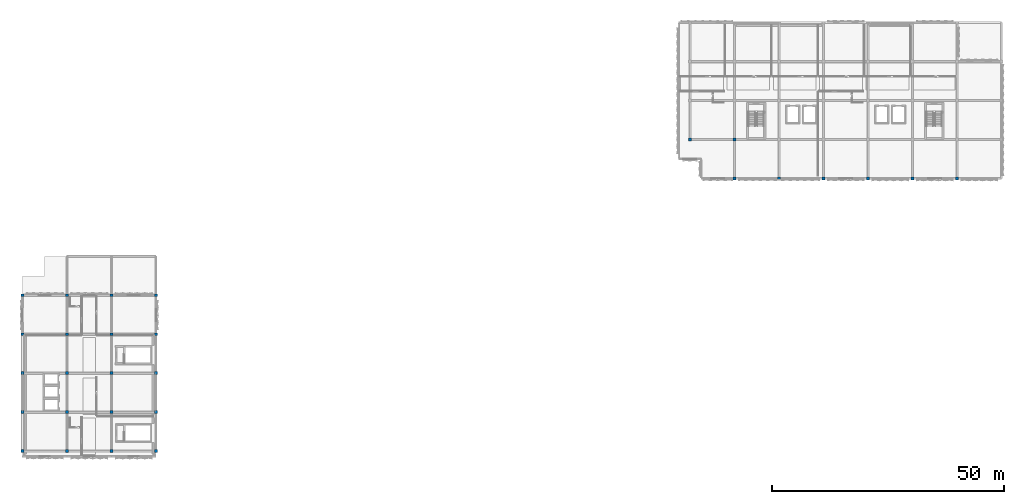
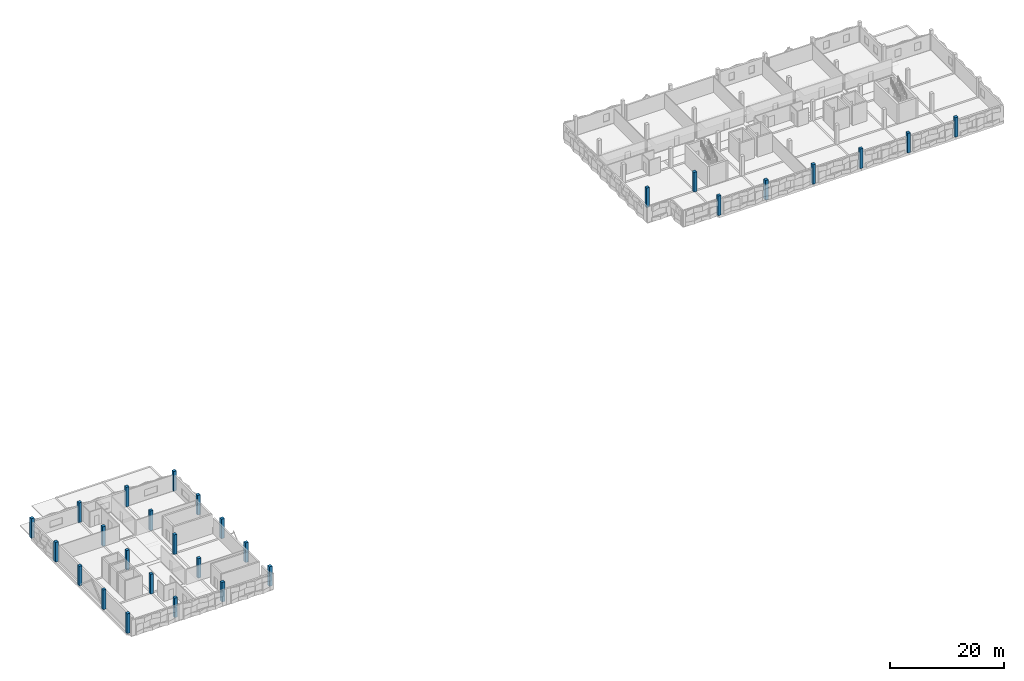
# One storey, part 1 of 18: 28 columns.
"""IFC4 building model written with IfcOpenShell, lengths in metres."""

from ifc_helpers import new_model, si_unit, direction, frame, origin, origin_2d, place, context, subcontext, project, spatial, rectangle, extrude, material, material_profile, profile_set, type_object, element, save


model = new_model("IFC4")

# Units and contexts
model_context = context("Model", 3, precision=1e-05, world=origin(), true_north=direction((0.0, 1.0)))
body_context = subcontext(model_context, "Body", "Model", "MODEL_VIEW")
ifc_project = project(units=[si_unit("LENGTHUNIT", "METRE"), si_unit("AREAUNIT", "SQUARE_METRE"), si_unit("VOLUMEUNIT", "CUBIC_METRE"), si_unit("PLANEANGLEUNIT", "RADIAN"), si_unit("MASSUNIT", "GRAM", prefix="KILO")], contexts=[model_context])

# Site, building, storey
site_placement = place(None, origin())
site = spatial("IfcSite", under=ifc_project, at=site_placement, CompositionType="ELEMENT")
building_placement = place(site_placement, origin())
building = spatial("IfcBuilding", under=site, at=building_placement, Name="Oolite Switchyard Hospital", CompositionType="ELEMENT")
storey_placement = place(building_placement, frame((0.0, 0.0, 26.199951171875)))
storey = spatial("IfcBuildingStorey", under=building, at=storey_placement, Name="L06", CompositionType="ELEMENT", Elevation=26.199951171875)

# Columns
ifc_material = material(Name="Concrete C50/60", Category="concrete")
ifc_material_profile = material_profile(ifc_material, rectangle(XDim=0.60009765625, YDim=0.60009765625, at=origin_2d()), Name="RC600X600")
ifc_profile_set = profile_set([ifc_material_profile], Name="Concrete C50/60")
column_type = type_object("IfcColumnType", Name="COL-RC600", PredefinedType="COLUMN", material=ifc_profile_set)
for number, where, z_axis, x_axis, name in (
    (1, (0.0, 42.0, 0.0), (0.0, 0.0, 1.0), (1.0, 0.0, 0.0), "L06 Column 1335"),
    (2, (0.0, 50.39990234375, 0.0), (0.0, 0.0, 1.0), (1.0, 0.0, 0.0), "L06 Column 1336"),
    (3, (0.0, 58.800048828125, 0.0), (0.0, 0.0, 1.0), (1.0, 0.0, 0.0), "L06 Column 1337"),
    (4, (0.0, 67.199951171875, 0.0), (0.0, 0.0, 1.0), (1.0, 0.0, 0.0), "L06 Column 1338"),
    (5, (0.0, 75.60009765625, 0.0), (0.0, 0.0, 1.0), (1.0, 0.0, 0.0), "L06 Column 1339"),
    (6, (9.60009765625, 42.0, 0.0), (0.0, 0.0, 1.0), (1.0, 0.0, 0.0), "L06 Column 1340"),
    (7, (9.60009765625, 50.39990234375, 0.0), (0.0, 0.0, 1.0), (1.0, 0.0, 0.0), "L06 Column 1341"),
    (8, (9.60009765625, 58.800048828125, 0.0), (0.0, 0.0, 1.0), (1.0, 0.0, 0.0), "L06 Column 1342"),
    (9, (9.60009765625, 67.199951171875, 0.0), (0.0, 0.0, 1.0), (1.0, 0.0, 0.0), "L06 Column 1343"),
    (10, (9.60009765625, 75.60009765625, 0.0), (0.0, 0.0, 1.0), (1.0, 0.0, 0.0), "L06 Column 1344"),
    (11, (19.199951171875, 42.0, 0.0), (0.0, 0.0, 1.0), (1.0, 0.0, 0.0), "L06 Column 1345"),
    (12, (19.199951171875, 50.39990234375, 0.0), (0.0, 0.0, 1.0), (1.0, 0.0, 0.0), "L06 Column 1346"),
    (13, (19.199951171875, 58.800048828125, 0.0), (0.0, 0.0, 1.0), (1.0, 0.0, 0.0), "L06 Column 1347"),
    (14, (19.199951171875, 67.199951171875, 0.0), (0.0, 0.0, 1.0), (1.0, 0.0, 0.0), "L06 Column 1348"),
    (15, (19.199951171875, 75.60009765625, 0.0), (0.0, 0.0, 1.0), (1.0, 0.0, 0.0), "L06 Column 1349"),
    (16, (28.800048828125, 42.0, 0.0), (0.0, 0.0, 1.0), (1.0, 0.0, 0.0), "L06 Column 1350"),
    (17, (28.800048828125, 50.39990234375, 0.0), (0.0, 0.0, 1.0), (1.0, 0.0, 0.0), "L06 Column 1351"),
    (18, (28.800048828125, 58.800048828125, 0.0), (0.0, 0.0, 1.0), (1.0, 0.0, 0.0), "L06 Column 1352"),
    (19, (28.800048828125, 67.199951171875, 0.0), (0.0, 0.0, 1.0), (1.0, 0.0, 0.0), "L06 Column 1353"),
    (20, (28.800048828125, 75.60009765625, 0.0), (0.0, 0.0, 1.0), (1.0, 0.0, 0.0), "L06 Column 1354"),
    (21, (144.0, 109.199951171875, 0.0), (0.0, 0.0, 1.0), (1.0, 0.0, 0.0), "L06 Column 1355"),
    (22, (153.60009765625, 100.800048828125, 0.0), (0.0, 0.0, 1.0), (1.0, 0.0, 0.0), "L06 Column 1359"),
    (23, (153.60009765625, 109.199951171875, 0.0), (0.0, 0.0, 1.0), (1.0, 0.0, 0.0), "L06 Column 1360"),
    (24, (163.199951171875, 100.800048828125, 0.0), (0.0, 0.0, 1.0), (1.0, 0.0, 0.0), "L06 Column 1364"),
    (25, (172.800048828125, 100.800048828125, 0.0), (0.0, 0.0, 1.0), (1.0, 0.0, 0.0), "L06 Column 1369"),
    (26, (182.39990234375, 100.800048828125, 0.0), (0.0, 0.0, 1.0), (1.0, 0.0, 0.0), "L06 Column 1374"),
    (27, (192.0, 100.800048828125, 0.0), (0.0, 0.0, 1.0), (1.0, 0.0, 0.0), "L06 Column 1379"),
    (28, (201.60009765625, 100.800048828125, 0.0), (0.0, 0.0, 1.0), (1.0, 0.0, 0.0), "L06 Column 1384"),
):
    element("IfcColumn", number, at=place(storey_placement, frame(where, z_axis=z_axis, x_axis=x_axis)), inside=storey, type_object=column_type, Name=name, PredefinedType="COLUMN", context=body_context, shape_type="SweptSolid", body=[
        extrude(rectangle(XDim=0.60009765625, YDim=0.60009765625, at=origin_2d()), origin(), (0.0, 0.0, 1.0), 4.199951171875),
    ])

save(model, "model.ifc")
